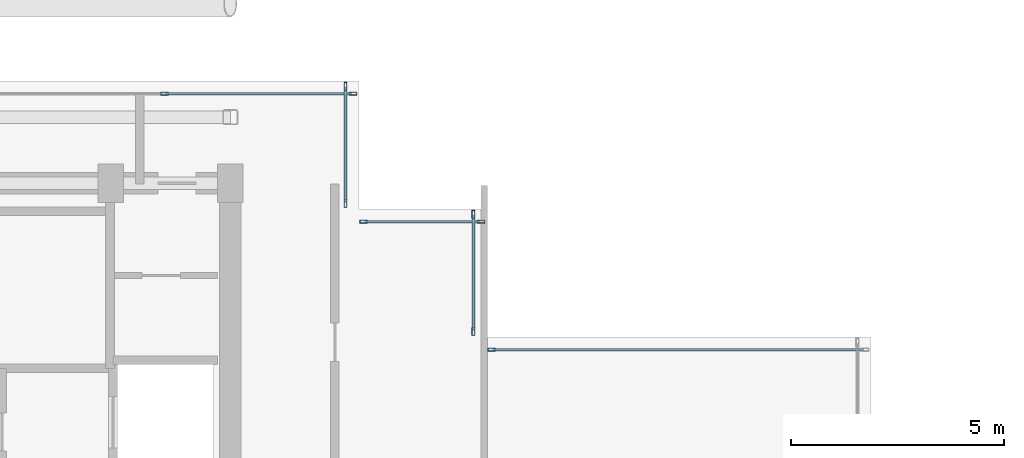
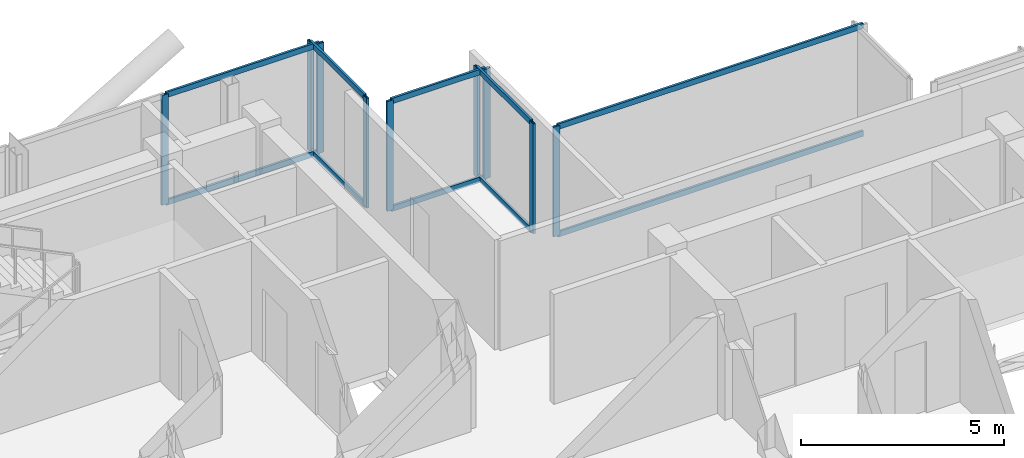
# One storey, part 10 of 18: 19 members, 5 elements without a shape of their own.
"""IFC4 building model written with IfcOpenShell, lengths in metres."""

from ifc_helpers import new_model, si_unit, direction, frame, origin, origin_2d, place, context, subcontext, project, spatial, hollow_rectangle, extrude, material, layer, layer_set, material_profile, profile_set, type_object, element, aggregate, save


model = new_model("IFC4")

# Units and contexts
model_context = context("Model", 3, precision=1e-05, world=origin(), true_north=direction((0.0, 1.0)))
body_context = subcontext(model_context, "Body", "Model", "MODEL_VIEW")
ifc_project = project(units=[si_unit("LENGTHUNIT", "METRE"), si_unit("AREAUNIT", "SQUARE_METRE"), si_unit("VOLUMEUNIT", "CUBIC_METRE"), si_unit("PLANEANGLEUNIT", "RADIAN"), si_unit("MASSUNIT", "GRAM", prefix="KILO"), si_unit("THERMODYNAMICTEMPERATUREUNIT", "KELVIN"), si_unit("POWERUNIT", "WATT")], contexts=[model_context])

# Site, building, storey
site_placement = place(None, origin())
site = spatial("IfcSite", under=ifc_project, at=site_placement, CompositionType="ELEMENT")
building_placement = place(site_placement, origin())
building = spatial("IfcBuilding", under=site, at=building_placement, Name="Svarakhadi Broadcast Tower", CompositionType="ELEMENT")
storey_placement = place(building_placement, frame((0.0, 0.0, 281.699951171875)))
storey = spatial("IfcBuildingStorey", under=building, at=storey_placement, Name="L71", CompositionType="ELEMENT", Elevation=281.699951171875)

# Curtain wall, members
ifc_material = material(Name="Anodised Bronze Aluminium AA 6063-T6", Category="aluminium")
ifc_layer = layer(ifc_material, 0.179931640625)
ifc_layer_set = layer_set([ifc_layer], Name="Anodised Bronze Aluminium AA 6063-T6")
curtain_wall_type = type_object("IfcCurtainWallType", Name="CW_Sys_05", PredefinedType="NOTDEFINED", material=ifc_layer_set)
curtain_wall_1_placement = place(storey_placement, origin())
curtain_wall_1 = element("IfcCurtainWall", 1, at=curtain_wall_1_placement, inside=storey, type_object=curtain_wall_type, Name="L71 Unitised Facade Curtain Wall 06", PredefinedType="NOTDEFINED")
ifc_material_profile_1 = material_profile(ifc_material, hollow_rectangle(XDim=0.070068359375, YDim=0.179931640625, WallThickness=0.005615234375, at=origin_2d()), Name="ALU MULLION 180x70x6")
ifc_profile_set_1 = profile_set([ifc_material_profile_1], Name="Anodised Bronze Aluminium AA 6063-T6")
member_type_1 = type_object("IfcMemberType", Name="CW_Sys_05_Mul", PredefinedType="MULLION", material=ifc_profile_set_1)
member_1_placement = place(storey_placement, frame((16.455078125, 29.699951171875, 0.0), z_axis=(0.0, 0.0, 1.0), x_axis=(0.0, 1.0, 0.0)))
member_1 = element("IfcMember", 2, at=member_1_placement, type_object=member_type_1, Name="CW-05 mullion 4", PredefinedType="MULLION", context=body_context, shape_type="SweptSolid", body=[
    extrude(hollow_rectangle(XDim=0.070068359375, YDim=0.179931640625, WallThickness=0.005615234375, at=origin_2d()), origin(), (0.0, 0.0, 1.0), 3.300048828125),
])
member_2_placement = place(storey_placement, frame((20.875, 29.699951171875, 0.0), z_axis=(0.0, 0.0, 1.0), x_axis=(0.0, 1.0, 0.0)))
member_2 = element("IfcMember", 3, at=member_2_placement, type_object=member_type_1, Name="CW-05 mullion 5", PredefinedType="MULLION", context=body_context, shape_type="SweptSolid", body=[
    extrude(hollow_rectangle(XDim=0.070068359375, YDim=0.179931640625, WallThickness=0.005615234375, at=origin_2d()), origin(), (0.0, 0.0, 1.0), 3.300048828125),
])

curtain_wall_2_placement = place(storey_placement, origin())
curtain_wall_2 = element("IfcCurtainWall", 4, at=curtain_wall_2_placement, inside=storey, type_object=curtain_wall_type, Name="L71 Unitised Facade Curtain Wall 07", PredefinedType="NOTDEFINED")
member_3_placement = place(storey_placement, frame((20.699951171875, 29.875, 0.0), z_axis=(0.0, 0.0, 1.0), x_axis=(1.0, 0.0, 0.0)))
member_3 = element("IfcMember", 5, at=member_3_placement, type_object=member_type_1, Name="CW-05 mullion 1", PredefinedType="MULLION", context=body_context, shape_type="SweptSolid", body=[
    extrude(hollow_rectangle(XDim=0.070068359375, YDim=0.179931640625, WallThickness=0.005615234375, at=origin_2d()), origin(), (0.0, 0.0, 1.0), 3.300048828125),
])
member_4_placement = place(storey_placement, frame((20.699951171875, 27.125, 0.0), z_axis=(0.0, 0.0, 1.0), x_axis=(1.0, 0.0, 0.0)))
member_4 = element("IfcMember", 6, at=member_4_placement, type_object=member_type_1, Name="CW-05 mullion 2", PredefinedType="MULLION", context=body_context, shape_type="SweptSolid", body=[
    extrude(hollow_rectangle(XDim=0.070068359375, YDim=0.179931640625, WallThickness=0.005615234375, at=origin_2d()), origin(), (0.0, 0.0, 1.0), 3.300048828125),
])

curtain_wall_3_placement = place(storey_placement, origin())
curtain_wall_3 = element("IfcCurtainWall", 7, at=curtain_wall_3_placement, inside=storey, type_object=curtain_wall_type, Name="L71 Unitised Facade Curtain Wall 08", PredefinedType="NOTDEFINED")
member_5_placement = place(storey_placement, frame((21.125, 26.699951171875, 0.0), z_axis=(0.0, 0.0, 1.0), x_axis=(0.0, 1.0, 0.0)))
member_5 = element("IfcMember", 8, at=member_5_placement, type_object=member_type_1, Name="CW-05 mullion 1", PredefinedType="MULLION", context=body_context, shape_type="SweptSolid", body=[
    extrude(hollow_rectangle(XDim=0.070068359375, YDim=0.179931640625, WallThickness=0.005615234375, at=origin_2d()), origin(), (0.0, 0.0, 1.0), 3.300048828125),
])
member_6_placement = place(storey_placement, frame((23.875, 26.699951171875, 0.0), z_axis=(0.0, 0.0, 1.0), x_axis=(0.0, 1.0, 0.0)))
member_6 = element("IfcMember", 9, at=member_6_placement, type_object=member_type_1, Name="CW-05 mullion 2", PredefinedType="MULLION", context=body_context, shape_type="SweptSolid", body=[
    extrude(hollow_rectangle(XDim=0.070068359375, YDim=0.179931640625, WallThickness=0.005615234375, at=origin_2d()), origin(), (0.0, 0.0, 1.0), 3.300048828125),
])

curtain_wall_4_placement = place(storey_placement, origin())
curtain_wall_4 = element("IfcCurtainWall", 10, at=curtain_wall_4_placement, inside=storey, type_object=curtain_wall_type, Name="L71 Unitised Facade Curtain Wall 09", PredefinedType="NOTDEFINED")
member_7_placement = place(storey_placement, frame((23.699951171875, 26.875, 0.0), z_axis=(0.0, 0.0, 1.0), x_axis=(1.0, 0.0, 0.0)))
member_7 = element("IfcMember", 11, at=member_7_placement, type_object=member_type_1, Name="CW-05 mullion 1", PredefinedType="MULLION", context=body_context, shape_type="SweptSolid", body=[
    extrude(hollow_rectangle(XDim=0.070068359375, YDim=0.179931640625, WallThickness=0.005615234375, at=origin_2d()), origin(), (0.0, 0.0, 1.0), 3.300048828125),
])
member_8_placement = place(storey_placement, frame((23.699951171875, 24.125, 0.0), z_axis=(0.0, 0.0, 1.0), x_axis=(1.0, 0.0, 0.0)))
member_8 = element("IfcMember", 12, at=member_8_placement, type_object=member_type_1, Name="CW-05 mullion 2", PredefinedType="MULLION", context=body_context, shape_type="SweptSolid", body=[
    extrude(hollow_rectangle(XDim=0.070068359375, YDim=0.179931640625, WallThickness=0.005615234375, at=origin_2d()), origin(), (0.0, 0.0, 1.0), 3.300048828125),
])

# Curtain wall, member
curtain_wall_5_placement = place(storey_placement, origin())
curtain_wall_5 = element("IfcCurtainWall", 13, at=curtain_wall_5_placement, inside=storey, type_object=curtain_wall_type, Name="L71 Unitised Facade Curtain Wall 10", PredefinedType="NOTDEFINED")
member_9_placement = place(storey_placement, frame((24.125, 23.699951171875, 0.0), z_axis=(0.0, 0.0, 1.0), x_axis=(0.0, 1.0, 0.0)))
member_9 = element("IfcMember", 14, at=member_9_placement, type_object=member_type_1, Name="CW-05 mullion 1", PredefinedType="MULLION", context=body_context, shape_type="SweptSolid", body=[
    extrude(hollow_rectangle(XDim=0.070068359375, YDim=0.179931640625, WallThickness=0.005615234375, at=origin_2d()), origin(), (0.0, 0.0, 1.0), 3.300048828125),
])

# Member
ifc_material_profile_2 = material_profile(ifc_material, hollow_rectangle(XDim=0.06494140625, YDim=0.1650390625, WallThickness=0.0048828125, at=origin_2d()), Name="ALU TRANSOM 165x65x5")
ifc_profile_set_2 = profile_set([ifc_material_profile_2], Name="Anodised Bronze Aluminium AA 6063-T6")
member_type_2 = type_object("IfcMemberType", Name="CW_Sys_05_Trn", PredefinedType="USERDEFINED", material=ifc_profile_set_2)
member_10_placement = place(storey_placement, frame((16.489990234375, 29.699951171875, 0.032470703125), z_axis=(1.0, 0.0, 0.0), x_axis=(0.0, 1.0, 0.0)))
member_10 = element("IfcMember", 15, at=member_10_placement, type_object=member_type_2, Name="CW-05 transom 4.1", ObjectType="TRANSOM", PredefinedType="USERDEFINED", context=body_context, shape_type="SweptSolid", body=[
    extrude(hollow_rectangle(XDim=0.06494140625, YDim=0.1650390625, WallThickness=0.0048828125, at=origin_2d()), origin(), (0.0, 0.0, 1.0), 4.35009765625),
])

member_11_placement = place(storey_placement, frame((16.489990234375, 29.699951171875, 3.267578125), z_axis=(1.0, 0.0, 0.0), x_axis=(0.0, 1.0, 0.0)))
member_11 = element("IfcMember", 16, at=member_11_placement, type_object=member_type_2, Name="CW-05 transom 4.2", ObjectType="TRANSOM", PredefinedType="USERDEFINED", context=body_context, shape_type="SweptSolid", body=[
    extrude(hollow_rectangle(XDim=0.06494140625, YDim=0.1650390625, WallThickness=0.0048828125, at=origin_2d()), origin(), (0.0, 0.0, 1.0), 4.35009765625),
])

aggregate(curtain_wall_1, [member_1, member_2, member_10, member_11])

member_12_placement = place(storey_placement, frame((20.699951171875, 29.840087890625, 0.032470703125), z_axis=(0.0, -1.0, 0.0), x_axis=(1.0, 0.0, 0.0)))
member_12 = element("IfcMember", 17, at=member_12_placement, type_object=member_type_2, Name="CW-05 transom 1.1", ObjectType="TRANSOM", PredefinedType="USERDEFINED", context=body_context, shape_type="SweptSolid", body=[
    extrude(hollow_rectangle(XDim=0.06494140625, YDim=0.1650390625, WallThickness=0.0048828125, at=origin_2d()), origin(), (0.0, 0.0, 1.0), 2.68017578125),
])

member_13_placement = place(storey_placement, frame((20.699951171875, 29.840087890625, 3.267578125), z_axis=(0.0, -1.0, 0.0), x_axis=(1.0, 0.0, 0.0)))
member_13 = element("IfcMember", 18, at=member_13_placement, type_object=member_type_2, Name="CW-05 transom 1.2", ObjectType="TRANSOM", PredefinedType="USERDEFINED", context=body_context, shape_type="SweptSolid", body=[
    extrude(hollow_rectangle(XDim=0.06494140625, YDim=0.1650390625, WallThickness=0.0048828125, at=origin_2d()), origin(), (0.0, 0.0, 1.0), 2.68017578125),
])

aggregate(curtain_wall_2, [member_3, member_4, member_12, member_13])

member_14_placement = place(storey_placement, frame((21.159912109375, 26.699951171875, 0.032470703125), z_axis=(1.0, 0.0, 0.0), x_axis=(0.0, 1.0, 0.0)))
member_14 = element("IfcMember", 19, at=member_14_placement, type_object=member_type_2, Name="CW-05 transom 1.1", ObjectType="TRANSOM", PredefinedType="USERDEFINED", context=body_context, shape_type="SweptSolid", body=[
    extrude(hollow_rectangle(XDim=0.06494140625, YDim=0.1650390625, WallThickness=0.0048828125, at=origin_2d()), origin(), (0.0, 0.0, 1.0), 2.68017578125),
])

member_15_placement = place(storey_placement, frame((21.159912109375, 26.699951171875, 3.267578125), z_axis=(1.0, 0.0, 0.0), x_axis=(0.0, 1.0, 0.0)))
member_15 = element("IfcMember", 20, at=member_15_placement, type_object=member_type_2, Name="CW-05 transom 1.2", ObjectType="TRANSOM", PredefinedType="USERDEFINED", context=body_context, shape_type="SweptSolid", body=[
    extrude(hollow_rectangle(XDim=0.06494140625, YDim=0.1650390625, WallThickness=0.0048828125, at=origin_2d()), origin(), (0.0, 0.0, 1.0), 2.68017578125),
])

aggregate(curtain_wall_3, [member_5, member_6, member_14, member_15])

member_16_placement = place(storey_placement, frame((23.699951171875, 26.840087890625, 0.032470703125), z_axis=(0.0, -1.0, 0.0), x_axis=(1.0, 0.0, 0.0)))
member_16 = element("IfcMember", 21, at=member_16_placement, type_object=member_type_2, Name="CW-05 transom 1.1", ObjectType="TRANSOM", PredefinedType="USERDEFINED", context=body_context, shape_type="SweptSolid", body=[
    extrude(hollow_rectangle(XDim=0.06494140625, YDim=0.1650390625, WallThickness=0.0048828125, at=origin_2d()), origin(), (0.0, 0.0, 1.0), 2.68017578125),
])

member_17_placement = place(storey_placement, frame((23.699951171875, 26.840087890625, 3.267578125), z_axis=(0.0, -1.0, 0.0), x_axis=(1.0, 0.0, 0.0)))
member_17 = element("IfcMember", 22, at=member_17_placement, type_object=member_type_2, Name="CW-05 transom 1.2", ObjectType="TRANSOM", PredefinedType="USERDEFINED", context=body_context, shape_type="SweptSolid", body=[
    extrude(hollow_rectangle(XDim=0.06494140625, YDim=0.1650390625, WallThickness=0.0048828125, at=origin_2d()), origin(), (0.0, 0.0, 1.0), 2.68017578125),
])

aggregate(curtain_wall_4, [member_7, member_8, member_16, member_17])

member_18_placement = place(storey_placement, frame((24.159912109375, 23.699951171875, 0.032470703125), z_axis=(1.0, 0.0, 0.0), x_axis=(0.0, 1.0, 0.0)))
member_18 = element("IfcMember", 23, at=member_18_placement, type_object=member_type_2, Name="CW-05 transom 1.1", ObjectType="TRANSOM", PredefinedType="USERDEFINED", context=body_context, shape_type="SweptSolid", body=[
    extrude(hollow_rectangle(XDim=0.06494140625, YDim=0.1650390625, WallThickness=0.0048828125, at=origin_2d()), origin(), (0.0, 0.0, 1.0), 8.68017578125),
])

member_19_placement = place(storey_placement, frame((24.159912109375, 23.699951171875, 3.267578125), z_axis=(1.0, 0.0, 0.0), x_axis=(0.0, 1.0, 0.0)))
member_19 = element("IfcMember", 24, at=member_19_placement, type_object=member_type_2, Name="CW-05 transom 1.2", ObjectType="TRANSOM", PredefinedType="USERDEFINED", context=body_context, shape_type="SweptSolid", body=[
    extrude(hollow_rectangle(XDim=0.06494140625, YDim=0.1650390625, WallThickness=0.0048828125, at=origin_2d()), origin(), (0.0, 0.0, 1.0), 8.68017578125),
])

aggregate(curtain_wall_5, [member_9, member_18, member_19])

save(model, "model.ifc")
